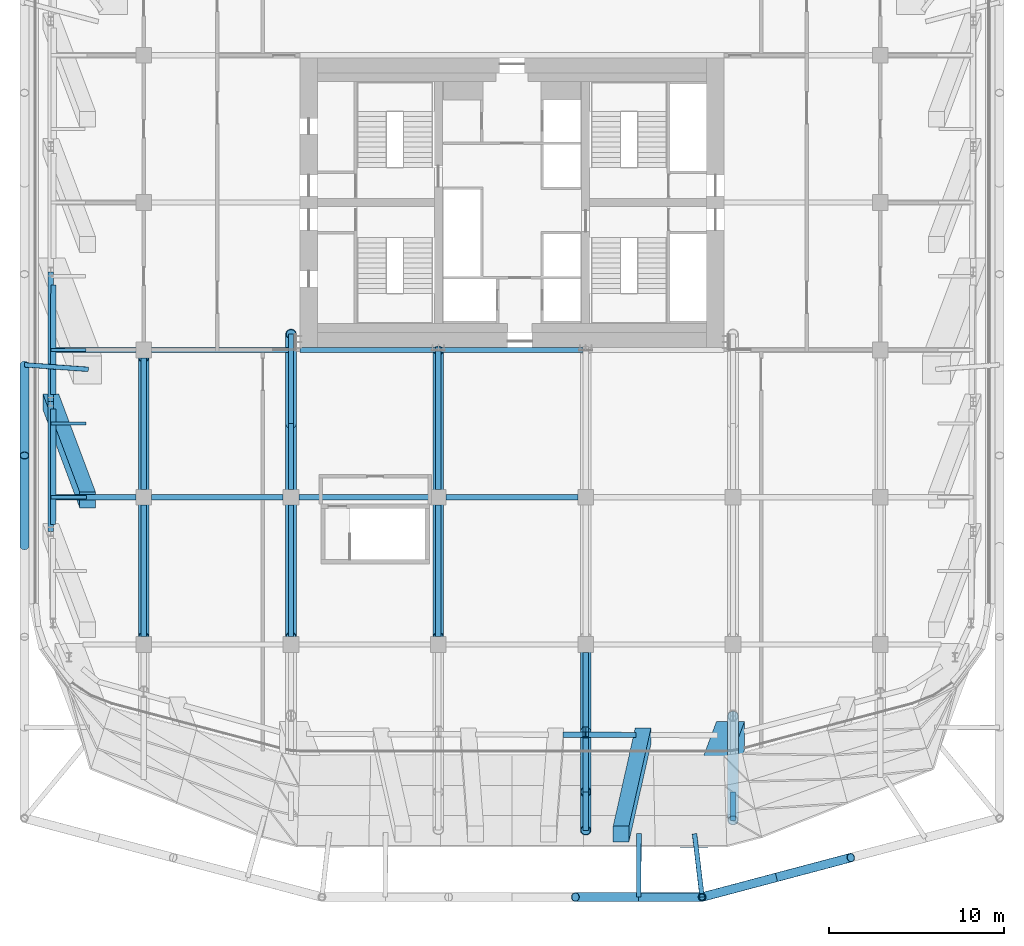
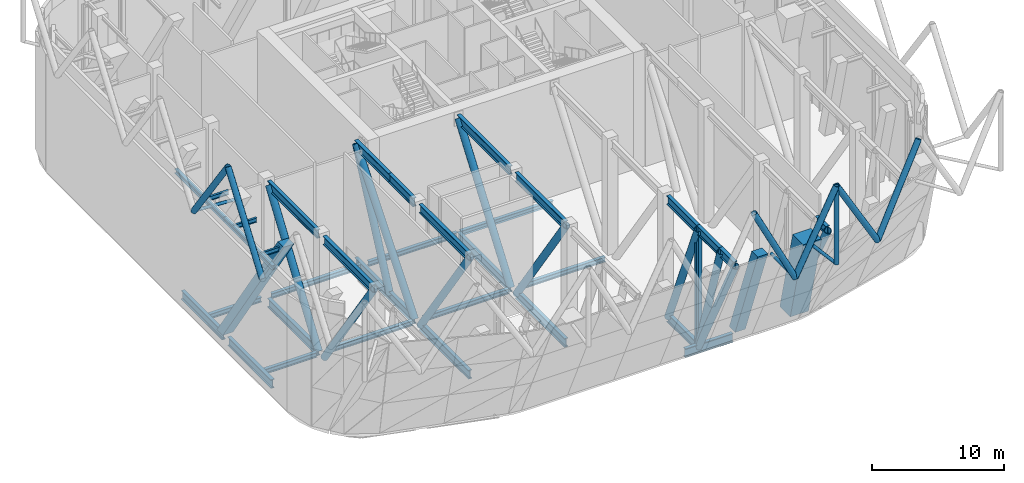
# One storey, part 4 of 20: 45 beams, 14 members.
"""IFC4 building model written with IfcOpenShell, lengths in metres."""

from ifc_helpers import new_model, si_unit, direction, frame, origin, origin_2d, place, context, subcontext, project, spatial, rectangle, hollow_circle, i_section, extrude, material, material_profile, profile_set, type_object, element, save


model = new_model("IFC4")

# Units and contexts
model_context = context("Model", 3, precision=1e-05, world=origin(), true_north=direction((0.0, 1.0)))
body_context = subcontext(model_context, "Body", "Model", "MODEL_VIEW")
ifc_project = project(units=[si_unit("LENGTHUNIT", "METRE"), si_unit("AREAUNIT", "SQUARE_METRE"), si_unit("VOLUMEUNIT", "CUBIC_METRE"), si_unit("PLANEANGLEUNIT", "RADIAN"), si_unit("MASSUNIT", "GRAM", prefix="KILO")], contexts=[model_context])

# Site, building, storey
site_placement = place(None, origin())
site = spatial("IfcSite", under=ifc_project, at=site_placement, CompositionType="ELEMENT")
building_placement = place(site_placement, origin())
building = spatial("IfcBuilding", under=site, at=building_placement, Name="Marenta Gate Hotel Tower", CompositionType="ELEMENT")
storey_placement = place(building_placement, frame((0.0, 0.0, 169.699951171875)))
storey = spatial("IfcBuildingStorey", under=building, at=storey_placement, Name="L40", CompositionType="ELEMENT", Elevation=169.699951171875)

# Members
ifc_material_1 = material(Name="Steel S355J2W", Category="steel")
ifc_material_profile_1 = material_profile(ifc_material_1, hollow_circle(Radius=0.203125, WallThickness=0.02490234375, at=origin_2d()), Name="CHS 406.4x25")
ifc_profile_set_1 = profile_set([ifc_material_profile_1], Name="Steel S355J2W")
member_type_1 = type_object("IfcMemberType", Name="Diagrid corner post Z3 CHS 406.4x25", PredefinedType="POST", material=ifc_profile_set_1)
member_1_placement = place(storey_placement, frame((10.839111328125, -31.199951171875, 10.340087890625), z_axis=(0.0, 0.0, 1.0), x_axis=(1.0, 0.0, 0.0)))
element("IfcMember", 1, at=member_1_placement, inside=storey, type_object=member_type_1, Name="L40-DR-3", PredefinedType="POST", context=body_context, shape_type="SweptSolid", body=[
    extrude(hollow_circle(Radius=0.203125, WallThickness=0.02490234375, at=origin_2d()), origin(), (0.0, 0.0, 1.0), 7.199951171875),
])
ifc_material_2 = material(Name="Steel S355J2W", Category="steel")
ifc_material_profile_2 = material_profile(ifc_material_2, hollow_circle(Radius=0.25390625, WallThickness=0.02490234375, at=origin_2d()), Name="CHS 508x25")
ifc_profile_set_2 = profile_set([ifc_material_profile_2], Name="Steel S355J2W")
member_type_2 = type_object("IfcMemberType", Name="Diagrid diagonal Z3 CHS 508x25", PredefinedType="BRACE", material=ifc_profile_set_2)
for number, where, z_axis, x_axis, name in (
    (2, (15.079345703125, -30.074951171875, 10.340087890625), (0.502925961678, 0.133405107407, 0.853972221087), (-0.256391194513, 0.966573098827, 0.0), "L40-DG-13"),
    (3, (15.079345703125, -30.074951171875, 10.340087890625), (-0.502924018666, -0.133433548941, 0.853968921838), (0.256443187528, -0.96655930577, 0.0), "L40-DG-14"),
):
    element("IfcMember", number, at=place(storey_placement, frame(where, z_axis=z_axis, x_axis=x_axis)), inside=storey, type_object=member_type_2, Name=name, PredefinedType="BRACE", context=body_context, shape_type="SweptSolid", body=[
        extrude(hollow_circle(Radius=0.25390625, WallThickness=0.02490234375, at=origin_2d()), origin(), (0.0, 0.0, 1.0), 8.43115234375),
    ])
for number, where, z_axis, x_axis, name in (
    (4, (7.22607421875, -31.199951171875, 10.340087890625), (0.44851025603, 0.0, 0.893777685018), (0.0, 1.0, 0.0), "L40-DG-15"),
    (5, (7.22607421875, -31.199951171875, 10.340087890625), (-0.44851025603, 0.0, 0.893777685018), (0.0, -1.0, 0.0), "L40-DG-16"),
):
    element("IfcMember", number, at=place(storey_placement, frame(where, z_axis=z_axis, x_axis=x_axis)), inside=storey, type_object=member_type_2, Name=name, PredefinedType="BRACE", context=body_context, shape_type="SweptSolid", body=[
        extrude(hollow_circle(Radius=0.25390625, WallThickness=0.02490234375, at=origin_2d()), origin(), (0.0, 0.0, 1.0), 8.0556640625),
    ])
member_2_placement = place(storey_placement, frame((-27.800048828125, -11.190185546875, 10.340087890625), z_axis=(0.0, 0.583279014058, 0.812271870595), x_axis=(-1.0, 0.0, 0.0)))
element("IfcMember", 6, at=member_2_placement, inside=storey, type_object=member_type_2, Name="L40-DG-28", PredefinedType="BRACE", context=body_context, shape_type="SweptSolid", body=[
    extrude(hollow_circle(Radius=0.25390625, WallThickness=0.02490234375, at=origin_2d()), origin(), (0.0, 0.0, 1.0), 8.864013671875),
])
member_3_placement = place(storey_placement, frame((-27.800048828125, -0.85009765625, 10.340087890625), z_axis=(0.0, -0.583260841117, 0.812284919975), x_axis=(1.0, 0.0, 0.0)))
element("IfcMember", 7, at=member_3_placement, inside=storey, type_object=member_type_2, Name="L40-DG-29", PredefinedType="BRACE", context=body_context, shape_type="SweptSolid", body=[
    extrude(hollow_circle(Radius=0.25390625, WallThickness=0.02490234375, at=origin_2d()), origin(), (0.0, 0.0, 1.0), 8.86376953125),
])

# Beams
ifc_material_3 = material(Name="Steel S355", Category="steel")
ifc_material_profile_3 = material_profile(ifc_material_3, i_section(OverallWidth=0.302978515625, OverallDepth=0.81396484375, WebThickness=0.030029296875, FlangeThickness=0.052001953125, FilletRadius=0.030029296875, at=origin_2d()), Name="HEM 800")
ifc_profile_set_3 = profile_set([ifc_material_profile_3], Name="Steel S355")
beam_type_1 = type_object("IfcBeamType", Name="Edge beam HEM 800", PredefinedType="SPANDREL", material=ifc_profile_set_3)
beam_1_placement = place(storey_placement, frame((-26.167236328125, -9.94189453125, -0.70703125), z_axis=(0.001372605919, 0.999999057976, 0.0), x_axis=(-0.999999057976, 0.001372605919, 0.0)))
element("IfcBeam", 8, at=beam_1_placement, inside=storey, type_object=beam_type_1, Name="L40-EB-6", PredefinedType="SPANDREL", context=body_context, shape_type="SweptSolid", body=[
    extrude(i_section(OverallWidth=0.302978515625, OverallDepth=0.81396484375, WebThickness=0.030029296875, FlangeThickness=0.052001953125, FilletRadius=0.030029296875, at=origin_2d()), origin(), (0.0, 0.0, 1.0), 6.5810546875),
])
beam_2_placement = place(storey_placement, frame((-26.156982421875, -2.541015625, -0.70703125), z_axis=(0.001371364591, 0.999999059679, 0.0), x_axis=(-0.999999059679, 0.001371364591, 0.0)))
element("IfcBeam", 9, at=beam_2_placement, inside=storey, type_object=beam_type_1, Name="L40-EB-7", PredefinedType="SPANDREL", context=body_context, shape_type="SweptSolid", body=[
    extrude(i_section(OverallWidth=0.302978515625, OverallDepth=0.81396484375, WebThickness=0.030029296875, FlangeThickness=0.052001953125, FilletRadius=0.030029296875, at=origin_2d()), origin(), (0.0, 0.0, 1.0), 6.23095703125),
])
beam_3_placement = place(storey_placement, frame((7.070068359375, -21.955322265625, -0.70703125), z_axis=(-0.999994807487, 0.003222576575, 0.0), x_axis=(-0.003222576575, -0.999994807487, 0.0)))
element("IfcBeam", 10, at=beam_3_placement, inside=storey, type_object=beam_type_1, Name="L40-EB-33", PredefinedType="SPANDREL", context=body_context, shape_type="SweptSolid", body=[
    extrude(i_section(OverallWidth=0.302978515625, OverallDepth=0.81396484375, WebThickness=0.030029296875, FlangeThickness=0.052001953125, FilletRadius=0.030029296875, at=origin_2d()), origin(), (0.0, 0.0, 1.0), 4.166748046875),
])

# Members
ifc_material_4 = material(Name="Concrete C70", Category="concrete")
ifc_material_profile_4 = material_profile(ifc_material_4, rectangle(XDim=0.89990234375, YDim=0.89990234375, at=origin_2d()), Name="900 x 900")
ifc_profile_set_4 = profile_set([ifc_material_profile_4], Name="Concrete C70")
member_type_3 = type_object("IfcMemberType", Name="Edge column raked 900 x 900 C70", PredefinedType="STRUT", material=ifc_profile_set_4)
member_4_placement = place(storey_placement, frame((-26.300048828125, -2.950927734375, 0.0), z_axis=(0.0, 0.0, 1.0), x_axis=(1.0, 0.0, 0.0)))
element("IfcMember", 11, at=member_4_placement, inside=storey, type_object=member_type_3, Name="L40-EC-SW-W-2", PredefinedType="STRUT", context=body_context, shape_type="SweptSolid", body=[
    extrude(rectangle(XDim=0.89990234375, YDim=0.89990234375, at=origin_2d()), origin(), (0.170111239528, -0.453597012445, 0.874821076842), 12.345458984375),
])
member_5_placement = place(storey_placement, frame((7.47998046875, -22.0, 0.0), z_axis=(0.0, 0.0, 1.0), x_axis=(1.0, 0.0, 0.0)))
element("IfcMember", 12, at=member_5_placement, inside=storey, type_object=member_type_3, Name="L40-EC-SKE-SKW-1", PredefinedType="STRUT", context=body_context, shape_type="SweptSolid", body=[
    extrude(rectangle(XDim=0.89990234375, YDim=0.89990234375, at=origin_2d()), origin(), (-0.103000585875, -0.457873534649, 0.883030410336), 12.230712890625),
])
ifc_material_5 = material(Name="Steel S355J2W", Category="steel")
ifc_material_profile_5 = material_profile(ifc_material_5, hollow_circle(Radius=0.136474609375, WallThickness=0.012451171875, at=origin_2d()), Name="CHS 273x12.5")
ifc_profile_set_5 = profile_set([ifc_material_profile_5], Name="Steel S355J2W")
member_type_4 = type_object("IfcMemberType", Name="Floor tie CHS 273x12.5", PredefinedType="STRUT", material=ifc_profile_set_5)
member_6_placement = place(storey_placement, frame((10.839111328125, -31.199951171875, 10.340087890625), z_axis=(-0.118457109495, 0.992959169961, 0.0), x_axis=(-0.992959169961, -0.118457109495, 0.0)))
element("IfcMember", 13, at=member_6_placement, inside=storey, type_object=member_type_4, Name="L40-DR-13", PredefinedType="STRUT", context=body_context, shape_type="SweptSolid", body=[
    extrude(hollow_circle(Radius=0.136474609375, WallThickness=0.012451171875, at=origin_2d()), origin(), (0.0, 0.0, 1.0), 3.6376953125),
])
member_7_placement = place(storey_placement, frame((7.22607421875, -31.199951171875, 10.340087890625), z_axis=(0.003839648355, 0.999992628523, 0.0), x_axis=(-0.999992628523, 0.003839648355, 0.0)))
element("IfcMember", 14, at=member_7_placement, inside=storey, type_object=member_type_4, Name="L40-DR-14", PredefinedType="STRUT", context=body_context, shape_type="SweptSolid", body=[
    extrude(hollow_circle(Radius=0.136474609375, WallThickness=0.012451171875, at=origin_2d()), origin(), (0.0, 0.0, 1.0), 3.624267578125),
])
member_8_placement = place(storey_placement, frame((-27.800048828125, -0.85009765625, 10.340087890625), z_axis=(0.997491170769, -0.070790989803, 0.0), x_axis=(0.070790989803, 0.997491170769, 0.0)))
element("IfcMember", 15, at=member_8_placement, inside=storey, type_object=member_type_4, Name="L40-DR-20", PredefinedType="STRUT", context=body_context, shape_type="SweptSolid", body=[
    extrude(hollow_circle(Radius=0.136474609375, WallThickness=0.012451171875, at=origin_2d()), origin(), (0.0, 0.0, 1.0), 3.65234375),
])

# Beams
ifc_material_6 = material(Name="Steel S355", Category="steel")
ifc_material_profile_6 = material_profile(ifc_material_6, i_section(OverallWidth=0.300048828125, OverallDepth=0.449951171875, WebThickness=0.013916015625, FlangeThickness=0.02587890625, FilletRadius=0.027099609375, at=origin_2d()), Name="HEB 450")
ifc_profile_set_6 = profile_set([ifc_material_profile_6], Name="Steel S355")
beam_type_2 = type_object("IfcBeamType", Name="Girder HEB 450", PredefinedType="BEAM", material=ifc_profile_set_6)
beam_4_placement = place(storey_placement, frame((-26.013671875, -8.39990234375, -0.52490234375), z_axis=(1.0, 0.0, 0.0), x_axis=(0.0, 1.0, 0.0)))
element("IfcBeam", 16, at=beam_4_placement, inside=storey, type_object=beam_type_2, Name="L40-GD-8", PredefinedType="BEAM", context=body_context, shape_type="SweptSolid", body=[
    extrude(i_section(OverallWidth=0.300048828125, OverallDepth=0.449951171875, WebThickness=0.013916015625, FlangeThickness=0.02587890625, FilletRadius=0.027099609375, at=origin_2d()), origin(), (0.0, 0.0, 1.0), 4.563720703125),
])
for number, where, z_axis, x_axis, name in (
    (17, (-20.550048828125, -8.39990234375, -0.52490234375), (1.0, 0.0, 0.0), (0.0, 1.0, 0.0), "L40-GD-9"),
    (18, (-12.14990234375, -8.39990234375, -0.52490234375), (1.0, 0.0, 0.0), (0.0, 1.0, 0.0), "L40-GD-10"),
    (19, (-3.75, -8.39990234375, -0.52490234375), (1.0, 0.0, 0.0), (0.0, 1.0, 0.0), "L40-GD-11"),
):
    element("IfcBeam", number, at=place(storey_placement, frame(where, z_axis=z_axis, x_axis=x_axis)), inside=storey, type_object=beam_type_2, Name=name, PredefinedType="BEAM", context=body_context, shape_type="SweptSolid", body=[
        extrude(i_section(OverallWidth=0.300048828125, OverallDepth=0.449951171875, WebThickness=0.013916015625, FlangeThickness=0.02587890625, FilletRadius=0.027099609375, at=origin_2d()), origin(), (0.0, 0.0, 1.0), 7.5),
    ])
beam_5_placement = place(storey_placement, frame((-26.002197265625, 0.0, -0.52490234375), z_axis=(1.0, 0.0, 0.0), x_axis=(0.0, 1.0, 0.0)))
element("IfcBeam", 20, at=beam_5_placement, inside=storey, type_object=beam_type_2, Name="L40-GD-15", PredefinedType="BEAM", context=body_context, shape_type="SweptSolid", body=[
    extrude(i_section(OverallWidth=0.300048828125, OverallDepth=0.449951171875, WebThickness=0.013916015625, FlangeThickness=0.02587890625, FilletRadius=0.027099609375, at=origin_2d()), origin(), (0.0, 0.0, 1.0), 4.55224609375),
])
beam_6_placement = place(storey_placement, frame((-20.550048828125, 0.0, -0.52490234375), z_axis=(1.0, 0.0, 0.0), x_axis=(0.0, 1.0, 0.0)))
element("IfcBeam", 21, at=beam_6_placement, inside=storey, type_object=beam_type_2, Name="L40-GD-16", PredefinedType="BEAM", context=body_context, shape_type="SweptSolid", body=[
    extrude(i_section(OverallWidth=0.300048828125, OverallDepth=0.449951171875, WebThickness=0.013916015625, FlangeThickness=0.02587890625, FilletRadius=0.027099609375, at=origin_2d()), origin(), (0.0, 0.0, 1.0), 7.798583984375),
])
beam_7_placement = place(storey_placement, frame((-12.10009765625, 0.0, -0.52490234375), z_axis=(1.0, 0.0, 0.0), x_axis=(0.0, 1.0, 0.0)))
element("IfcBeam", 22, at=beam_7_placement, inside=storey, type_object=beam_type_2, Name="L40-GD-17", PredefinedType="BEAM", context=body_context, shape_type="SweptSolid", body=[
    extrude(i_section(OverallWidth=0.300048828125, OverallDepth=0.449951171875, WebThickness=0.013916015625, FlangeThickness=0.02587890625, FilletRadius=0.027099609375, at=origin_2d()), origin(), (0.0, 0.0, 1.0), 7.74853515625),
])
beam_8_placement = place(storey_placement, frame((-4.048583984375, 0.0, -0.52490234375), z_axis=(1.0, 0.0, 0.0), x_axis=(0.0, 1.0, 0.0)))
element("IfcBeam", 23, at=beam_8_placement, inside=storey, type_object=beam_type_2, Name="L40-GD-18", PredefinedType="BEAM", context=body_context, shape_type="SweptSolid", body=[
    extrude(i_section(OverallWidth=0.300048828125, OverallDepth=0.449951171875, WebThickness=0.013916015625, FlangeThickness=0.02587890625, FilletRadius=0.027099609375, at=origin_2d()), origin(), (0.0, 0.0, 1.0), 8.09716796875),
])

# Member
ifc_material_7 = material(Name="Concrete C70", Category="concrete")
ifc_material_profile_7 = material_profile(ifc_material_7, rectangle(XDim=1.60009765625, YDim=1.60009765625, at=origin_2d()), Name="1600 x 1600")
ifc_profile_set_7 = profile_set([ifc_material_profile_7], Name="Concrete C70")
member_type_5 = type_object("IfcMemberType", Name="Mega column raked 1600 x 1600 C70", PredefinedType="STRUT", material=ifc_profile_set_7)
member_9_placement = place(storey_placement, frame((12.46630859375, -21.974853515625, 0.0), z_axis=(0.0, 0.0, 1.0), x_axis=(1.0, 0.0, 0.0)))
element("IfcMember", 24, at=member_9_placement, inside=storey, type_object=member_type_5, Name="L40-MC-SKE", PredefinedType="STRUT", context=body_context, shape_type="SweptSolid", body=[
    extrude(rectangle(XDim=1.60009765625, YDim=1.60009765625, at=origin_2d()), origin(), (-0.170111239528, -0.453597012445, 0.874821076842), 12.345458984375),
])

# Beams
ifc_material_8 = material(Name="Steel S355", Category="steel")
ifc_material_profile_8 = material_profile(ifc_material_8, i_section(OverallWidth=0.302978515625, OverallDepth=0.81396484375, WebThickness=0.030029296875, FlangeThickness=0.052001953125, FilletRadius=0.030029296875, at=origin_2d()), Name="HEM 800")
ifc_profile_set_8 = profile_set([ifc_material_profile_8], Name="Steel S355")
beam_type_3 = type_object("IfcBeamType", Name="Outrigger truss chord HEM 800", PredefinedType="BEAM", material=ifc_profile_set_8)
for number, where, z_axis, x_axis, name in (
    (25, (-21.0, -0.449951171875, -0.70703125), (0.0, -1.0, 0.0), (1.0, 0.0, 0.0), "TC-HEM800 Outrigger truss T2-4 chord"),
    (26, (-21.0, -0.449951171875, 10.133056640625), (0.0, -1.0, 0.0), (1.0, 0.0, 0.0), "TC-HEM800 Outrigger truss T2-4 chord"),
    (27, (-21.0, -8.85009765625, 10.133056640625), (0.0, -1.0, 0.0), (1.0, 0.0, 0.0), "TC-HEM800 Outrigger truss T2-4 chord"),
):
    element("IfcBeam", number, at=place(storey_placement, frame(where, z_axis=z_axis, x_axis=x_axis)), inside=storey, type_object=beam_type_3, Name=name, PredefinedType="BEAM", context=body_context, shape_type="SweptSolid", body=[
        extrude(i_section(OverallWidth=0.302978515625, OverallDepth=0.81396484375, WebThickness=0.030029296875, FlangeThickness=0.052001953125, FilletRadius=0.030029296875, at=origin_2d()), origin(), (0.0, 0.0, 1.0), 7.5),
    ])
beam_9_placement = place(storey_placement, frame((-12.60009765625, 0.89990234375, -0.70703125), z_axis=(0.0, -1.0, 0.0), x_axis=(1.0, 0.0, 0.0)))
element("IfcBeam", 28, at=beam_9_placement, inside=storey, type_object=beam_type_3, Name="TC-HEM800 Outrigger truss T2-5 chord", PredefinedType="BEAM", context=body_context, shape_type="SweptSolid", body=[
    extrude(i_section(OverallWidth=0.302978515625, OverallDepth=0.81396484375, WebThickness=0.030029296875, FlangeThickness=0.052001953125, FilletRadius=0.030029296875, at=origin_2d()), origin(), (0.0, 0.0, 1.0), 5.099853515625),
])
beam_10_placement = place(storey_placement, frame((-12.60009765625, -4.199951171875, -0.70703125), z_axis=(0.0, -1.0, 0.0), x_axis=(1.0, 0.0, 0.0)))
element("IfcBeam", 29, at=beam_10_placement, inside=storey, type_object=beam_type_3, Name="TC-HEM800 Outrigger truss T2-5 chord", PredefinedType="BEAM", context=body_context, shape_type="SweptSolid", body=[
    extrude(i_section(OverallWidth=0.302978515625, OverallDepth=0.81396484375, WebThickness=0.030029296875, FlangeThickness=0.052001953125, FilletRadius=0.030029296875, at=origin_2d()), origin(), (0.0, 0.0, 1.0), 3.75),
])
beam_11_placement = place(storey_placement, frame((-12.60009765625, -8.85009765625, -0.70703125), z_axis=(0.0, -1.0, 0.0), x_axis=(1.0, 0.0, 0.0)))
element("IfcBeam", 30, at=beam_11_placement, inside=storey, type_object=beam_type_3, Name="TC-HEM800 Outrigger truss T2-5 chord", PredefinedType="BEAM", context=body_context, shape_type="SweptSolid", body=[
    extrude(i_section(OverallWidth=0.302978515625, OverallDepth=0.81396484375, WebThickness=0.030029296875, FlangeThickness=0.052001953125, FilletRadius=0.030029296875, at=origin_2d()), origin(), (0.0, 0.0, 1.0), 7.5),
])
beam_12_placement = place(storey_placement, frame((-12.60009765625, 0.89990234375, 10.133056640625), z_axis=(0.0, -1.0, 0.0), x_axis=(1.0, 0.0, 0.0)))
element("IfcBeam", 31, at=beam_12_placement, inside=storey, type_object=beam_type_3, Name="TC-HEM800 Outrigger truss T2-5 chord", PredefinedType="BEAM", context=body_context, shape_type="SweptSolid", body=[
    extrude(i_section(OverallWidth=0.302978515625, OverallDepth=0.81396484375, WebThickness=0.030029296875, FlangeThickness=0.052001953125, FilletRadius=0.030029296875, at=origin_2d()), origin(), (0.0, 0.0, 1.0), 5.099853515625),
])
beam_13_placement = place(storey_placement, frame((-12.60009765625, -4.199951171875, 10.133056640625), z_axis=(0.0, -1.0, 0.0), x_axis=(1.0, 0.0, 0.0)))
element("IfcBeam", 32, at=beam_13_placement, inside=storey, type_object=beam_type_3, Name="TC-HEM800 Outrigger truss T2-5 chord", PredefinedType="BEAM", context=body_context, shape_type="SweptSolid", body=[
    extrude(i_section(OverallWidth=0.302978515625, OverallDepth=0.81396484375, WebThickness=0.030029296875, FlangeThickness=0.052001953125, FilletRadius=0.030029296875, at=origin_2d()), origin(), (0.0, 0.0, 1.0), 3.75),
])
beam_14_placement = place(storey_placement, frame((-12.60009765625, -8.85009765625, 10.133056640625), z_axis=(0.0, -1.0, 0.0), x_axis=(1.0, 0.0, 0.0)))
element("IfcBeam", 33, at=beam_14_placement, inside=storey, type_object=beam_type_3, Name="TC-HEM800 Outrigger truss T2-5 chord", PredefinedType="BEAM", context=body_context, shape_type="SweptSolid", body=[
    extrude(i_section(OverallWidth=0.302978515625, OverallDepth=0.81396484375, WebThickness=0.030029296875, FlangeThickness=0.052001953125, FilletRadius=0.030029296875, at=origin_2d()), origin(), (0.0, 0.0, 1.0), 7.5),
])
beam_15_placement = place(storey_placement, frame((-4.199951171875, -0.050048828125, -0.70703125), z_axis=(0.0, -1.0, 0.0), x_axis=(1.0, 0.0, 0.0)))
element("IfcBeam", 34, at=beam_15_placement, inside=storey, type_object=beam_type_3, Name="TC-HEM800 Outrigger truss T2-6 chord", PredefinedType="BEAM", context=body_context, shape_type="SweptSolid", body=[
    extrude(i_section(OverallWidth=0.302978515625, OverallDepth=0.81396484375, WebThickness=0.030029296875, FlangeThickness=0.052001953125, FilletRadius=0.030029296875, at=origin_2d()), origin(), (0.0, 0.0, 1.0), 7.89990234375),
])
beam_16_placement = place(storey_placement, frame((-4.199951171875, -8.85009765625, -0.70703125), z_axis=(0.0, -1.0, 0.0), x_axis=(1.0, 0.0, 0.0)))
element("IfcBeam", 35, at=beam_16_placement, inside=storey, type_object=beam_type_3, Name="TC-HEM800 Outrigger truss T2-6 chord", PredefinedType="BEAM", context=body_context, shape_type="SweptSolid", body=[
    extrude(i_section(OverallWidth=0.302978515625, OverallDepth=0.81396484375, WebThickness=0.030029296875, FlangeThickness=0.052001953125, FilletRadius=0.030029296875, at=origin_2d()), origin(), (0.0, 0.0, 1.0), 7.5),
])
beam_17_placement = place(storey_placement, frame((-4.199951171875, -0.050048828125, 10.133056640625), z_axis=(0.0, -1.0, 0.0), x_axis=(1.0, 0.0, 0.0)))
element("IfcBeam", 36, at=beam_17_placement, inside=storey, type_object=beam_type_3, Name="TC-HEM800 Outrigger truss T2-6 chord", PredefinedType="BEAM", context=body_context, shape_type="SweptSolid", body=[
    extrude(i_section(OverallWidth=0.302978515625, OverallDepth=0.81396484375, WebThickness=0.030029296875, FlangeThickness=0.052001953125, FilletRadius=0.030029296875, at=origin_2d()), origin(), (0.0, 0.0, 1.0), 7.89990234375),
])
beam_18_placement = place(storey_placement, frame((-4.199951171875, -8.85009765625, 10.133056640625), z_axis=(0.0, -1.0, 0.0), x_axis=(1.0, 0.0, 0.0)))
element("IfcBeam", 37, at=beam_18_placement, inside=storey, type_object=beam_type_3, Name="TC-HEM800 Outrigger truss T2-6 chord", PredefinedType="BEAM", context=body_context, shape_type="SweptSolid", body=[
    extrude(i_section(OverallWidth=0.302978515625, OverallDepth=0.81396484375, WebThickness=0.030029296875, FlangeThickness=0.052001953125, FilletRadius=0.030029296875, at=origin_2d()), origin(), (0.0, 0.0, 1.0), 7.5),
])
for number, where, z_axis, x_axis, name in (
    (38, (4.199951171875, -17.25, -0.70703125), (0.0, -1.0, 0.0), (1.0, 0.0, 0.0), "TC-HEM800 Outrigger truss T2-7 chord"),
    (39, (4.199951171875, -17.25, 10.133056640625), (0.0, -1.0, 0.0), (1.0, 0.0, 0.0), "TC-HEM800 Outrigger truss T2-7 chord"),
):
    element("IfcBeam", number, at=place(storey_placement, frame(where, z_axis=z_axis, x_axis=x_axis)), inside=storey, type_object=beam_type_3, Name=name, PredefinedType="BEAM", context=body_context, shape_type="SweptSolid", body=[
        extrude(i_section(OverallWidth=0.302978515625, OverallDepth=0.81396484375, WebThickness=0.030029296875, FlangeThickness=0.052001953125, FilletRadius=0.030029296875, at=origin_2d()), origin(), (0.0, 0.0, 1.0), 4.544677734375),
    ])
beam_19_placement = place(storey_placement, frame((4.199951171875, -21.794677734375, 10.133056640625), z_axis=(0.0, -1.0, 0.0), x_axis=(1.0, 0.0, 0.0)))
element("IfcBeam", 40, at=beam_19_placement, inside=storey, type_object=beam_type_3, Name="TC-HEM800 Outrigger truss T2-7 chord", PredefinedType="BEAM", context=body_context, shape_type="SweptSolid", body=[
    extrude(i_section(OverallWidth=0.302978515625, OverallDepth=0.81396484375, WebThickness=0.030029296875, FlangeThickness=0.052001953125, FilletRadius=0.030029296875, at=origin_2d()), origin(), (0.0, 0.0, 1.0), 3.4052734375),
])
beam_20_placement = place(storey_placement, frame((4.199951171875, -25.199951171875, 10.133056640625), z_axis=(0.0, -1.0, 0.0), x_axis=(1.0, 0.0, 0.0)))
element("IfcBeam", 41, at=beam_20_placement, inside=storey, type_object=beam_type_3, Name="TC-HEM800 Outrigger truss T2-7 chord", PredefinedType="BEAM", context=body_context, shape_type="SweptSolid", body=[
    extrude(i_section(OverallWidth=0.302978515625, OverallDepth=0.81396484375, WebThickness=0.030029296875, FlangeThickness=0.052001953125, FilletRadius=0.030029296875, at=origin_2d()), origin(), (0.0, 0.0, 1.0), 2.197509765625),
])
beam_21_placement = place(storey_placement, frame((12.60009765625, -25.199951171875, 10.133056640625), z_axis=(0.0, -1.0, 0.0), x_axis=(1.0, 0.0, 0.0)))
element("IfcBeam", 42, at=beam_21_placement, inside=storey, type_object=beam_type_3, Name="TC-HEM800 Outrigger truss T2-8 chord", PredefinedType="BEAM", context=body_context, shape_type="SweptSolid", body=[
    extrude(i_section(OverallWidth=0.302978515625, OverallDepth=0.81396484375, WebThickness=0.030029296875, FlangeThickness=0.052001953125, FilletRadius=0.030029296875, at=origin_2d()), origin(), (0.0, 0.0, 1.0), 1.629638671875),
])
ifc_material_9 = material(Name="Steel S355", Category="steel")
ifc_material_profile_9 = material_profile(ifc_material_9, hollow_circle(Radius=0.304931640625, WallThickness=0.0400390625, at=origin_2d()), Name="CHS 610x40")
ifc_profile_set_9 = profile_set([ifc_material_profile_9], Name="Steel S355")
beam_type_4 = type_object("IfcBeamType", Name="Outrigger truss diagonal CHS 610x40", PredefinedType="BEAM", material=ifc_profile_set_9)
for number, where, z_axis, x_axis, name in (
    (43, (-21.0, -0.449951171875, 10.133056640625), (0.0, -0.568970142593, -0.82235818038), (1.0, 0.0, 0.0), "Outrigger truss T2-4 diagonal"),
    (44, (-21.0, -8.85009765625, -0.70703125), (0.0, -0.568970142593, 0.82235818038), (1.0, 0.0, 0.0), "Outrigger truss T2-4 diagonal"),
):
    element("IfcBeam", number, at=place(storey_placement, frame(where, z_axis=z_axis, x_axis=x_axis)), inside=storey, type_object=beam_type_4, Name=name, PredefinedType="BEAM", context=body_context, shape_type="SweptSolid", body=[
        extrude(hollow_circle(Radius=0.304931640625, WallThickness=0.0400390625, at=origin_2d()), origin(), (0.0, 0.0, 1.0), 13.181640625),
    ])
beam_22_placement = place(storey_placement, frame((-12.60009765625, 0.9189453125, 10.15625), z_axis=(0.0, -0.632415505905, -0.774629348715), x_axis=(1.0, 0.0, 0.0)))
element("IfcBeam", 45, at=beam_22_placement, inside=storey, type_object=beam_type_4, Name="Outrigger truss T2-5 diagonal", PredefinedType="BEAM", context=body_context, shape_type="SweptSolid", body=[
    extrude(hollow_circle(Radius=0.304931640625, WallThickness=0.0400390625, at=origin_2d()), origin(), (0.0, 0.0, 1.0), 14.02392578125),
])
beam_23_placement = place(storey_placement, frame((-12.60009765625, -8.85009765625, -0.70703125), z_axis=(0.0, -0.568970142593, 0.82235818038), x_axis=(1.0, 0.0, 0.0)))
element("IfcBeam", 46, at=beam_23_placement, inside=storey, type_object=beam_type_4, Name="Outrigger truss T2-5 diagonal", PredefinedType="BEAM", context=body_context, shape_type="SweptSolid", body=[
    extrude(hollow_circle(Radius=0.304931640625, WallThickness=0.0400390625, at=origin_2d()), origin(), (0.0, 0.0, 1.0), 13.181640625),
])
beam_24_placement = place(storey_placement, frame((-12.60009765625, -4.199951171875, -0.70703125), z_axis=(0.0, 0.425716757742, 0.90485647601), x_axis=(-1.0, 0.0, 0.0)))
element("IfcBeam", 47, at=beam_24_placement, inside=storey, type_object=beam_type_4, Name="Outrigger truss T2-5 diagonal", PredefinedType="BEAM", context=body_context, shape_type="SweptSolid", body=[
    extrude(hollow_circle(Radius=0.304931640625, WallThickness=0.0400390625, at=origin_2d()), origin(), (0.0, 0.0, 1.0), 12.009765625),
])
beam_25_placement = place(storey_placement, frame((-4.199951171875, -0.0322265625, 10.1572265625), z_axis=(0.0, -0.588971563007, -0.808153758866), x_axis=(1.0, 0.0, 0.0)))
element("IfcBeam", 48, at=beam_25_placement, inside=storey, type_object=beam_type_4, Name="Outrigger truss T2-6 diagonal", PredefinedType="BEAM", context=body_context, shape_type="SweptSolid", body=[
    extrude(hollow_circle(Radius=0.304931640625, WallThickness=0.0400390625, at=origin_2d()), origin(), (0.0, 0.0, 1.0), 13.443359375),
])
beam_26_placement = place(storey_placement, frame((-4.199951171875, -8.85009765625, -0.70703125), z_axis=(0.0, -0.568970142593, 0.82235818038), x_axis=(1.0, 0.0, 0.0)))
element("IfcBeam", 49, at=beam_26_placement, inside=storey, type_object=beam_type_4, Name="Outrigger truss T2-6 diagonal", PredefinedType="BEAM", context=body_context, shape_type="SweptSolid", body=[
    extrude(hollow_circle(Radius=0.304931640625, WallThickness=0.0400390625, at=origin_2d()), origin(), (0.0, 0.0, 1.0), 13.181640625),
])
beam_27_placement = place(storey_placement, frame((4.199951171875, -17.25, -0.70703125), z_axis=(0.0, -0.38664234284, 0.922229742918), x_axis=(1.0, 0.0, 0.0)))
element("IfcBeam", 50, at=beam_27_placement, inside=storey, type_object=beam_type_4, Name="Outrigger truss T2-7 diagonal", PredefinedType="BEAM", context=body_context, shape_type="SweptSolid", body=[
    extrude(hollow_circle(Radius=0.304931640625, WallThickness=0.0400390625, at=origin_2d()), origin(), (0.0, 0.0, 1.0), 11.754150390625),
])
beam_28_placement = place(storey_placement, frame((4.199951171875, -21.794677734375, -0.70703125), z_axis=(0.0, -0.299697529679, 0.954034271242), x_axis=(1.0, 0.0, 0.0)))
element("IfcBeam", 51, at=beam_28_placement, inside=storey, type_object=beam_type_4, Name="Outrigger truss T2-7 diagonal", PredefinedType="BEAM", context=body_context, shape_type="SweptSolid", body=[
    extrude(hollow_circle(Radius=0.304931640625, WallThickness=0.0400390625, at=origin_2d()), origin(), (0.0, 0.0, 1.0), 11.3623046875),
])
beam_29_placement = place(storey_placement, frame((4.199951171875, -21.794677734375, -0.70703125), z_axis=(0.0, -0.459154015431, 0.888356679557), x_axis=(1.0, 0.0, 0.0)))
element("IfcBeam", 52, at=beam_29_placement, inside=storey, type_object=beam_type_4, Name="Outrigger truss T2-7 diagonal", PredefinedType="BEAM", context=body_context, shape_type="SweptSolid", body=[
    extrude(hollow_circle(Radius=0.304931640625, WallThickness=0.0400390625, at=origin_2d()), origin(), (0.0, 0.0, 1.0), 12.202392578125),
])
beam_30_placement = place(storey_placement, frame((12.60009765625, -20.8642578125, -0.70703125), z_axis=(0.0, -0.48212249132, 0.876103819968), x_axis=(1.0, 0.0, 0.0)))
element("IfcBeam", 53, at=beam_30_placement, inside=storey, type_object=beam_type_4, Name="Outrigger truss T2-8 diagonal", PredefinedType="BEAM", context=body_context, shape_type="SweptSolid", body=[
    extrude(hollow_circle(Radius=0.304931640625, WallThickness=0.0400390625, at=origin_2d()), origin(), (0.0, 0.0, 1.0), 12.373046875),
])

# Member
ifc_material_10 = material(Name="Steel S355", Category="steel")
ifc_material_profile_10 = material_profile(ifc_material_10, i_section(OverallWidth=0.304931640625, OverallDepth=0.6201171875, WebThickness=0.02490234375, FlangeThickness=0.0439453125, FilletRadius=0.027099609375, at=origin_2d()), Name="HEM 600")
ifc_profile_set_10 = profile_set([ifc_material_profile_10], Name="Steel S355")
member_type_6 = type_object("IfcMemberType", Name="Outrigger truss post HEM 600", PredefinedType="POST", material=ifc_profile_set_10)
member_10_placement = place(storey_placement, frame((4.199951171875, -21.794677734375, -0.70703125), z_axis=(0.0, 0.0, 1.0), x_axis=(1.0, 0.0, 0.0)))
element("IfcMember", 54, at=member_10_placement, inside=storey, type_object=member_type_6, Name="TR-HEM600 Outrigger truss T2-7 post", PredefinedType="POST", context=body_context, shape_type="SweptSolid", body=[
    extrude(i_section(OverallWidth=0.304931640625, OverallDepth=0.6201171875, WebThickness=0.02490234375, FlangeThickness=0.0439453125, FilletRadius=0.027099609375, at=origin_2d()), origin(), (0.0, 0.0, 1.0), 10.840087890625),
])

# Beams
ifc_material_11 = material(Name="Steel S355", Category="steel")
ifc_material_profile_11 = material_profile(ifc_material_11, i_section(OverallWidth=0.179931640625, OverallDepth=0.39990234375, WebThickness=0.008544921875, FlangeThickness=0.013427734375, FilletRadius=0.02099609375, at=origin_2d()), Name="IPE 400")
ifc_profile_set_11 = profile_set([ifc_material_profile_11], Name="Steel S355")
beam_type_5 = type_object("IfcBeamType", Name="Terrace beam IPE 400", PredefinedType="JOIST", material=ifc_profile_set_11)
beam_31_placement = place(storey_placement, frame((-26.300048828125, -8.39990234375, 10.340087890625), z_axis=(1.0, 0.0, 0.0), x_axis=(0.0, 1.0, 0.0)))
element("IfcBeam", 55, at=beam_31_placement, inside=storey, type_object=beam_type_5, Name="L40-TB-24", PredefinedType="JOIST", context=body_context, shape_type="SweptSolid", body=[
    extrude(i_section(OverallWidth=0.179931640625, OverallDepth=0.39990234375, WebThickness=0.008544921875, FlangeThickness=0.013427734375, FilletRadius=0.02099609375, at=origin_2d()), origin(), (0.0, 0.0, 1.0), 2.031494140625),
])
beam_32_placement = place(storey_placement, frame((-26.300048828125, -4.199951171875, 10.340087890625), z_axis=(1.0, 0.0, 0.0), x_axis=(0.0, 1.0, 0.0)))
element("IfcBeam", 56, at=beam_32_placement, inside=storey, type_object=beam_type_5, Name="L40-TB-25", PredefinedType="JOIST", context=body_context, shape_type="SweptSolid", body=[
    extrude(i_section(OverallWidth=0.179931640625, OverallDepth=0.39990234375, WebThickness=0.008544921875, FlangeThickness=0.013427734375, FilletRadius=0.02099609375, at=origin_2d()), origin(), (0.0, 0.0, 1.0), 2.017333984375),
])
beam_33_placement = place(storey_placement, frame((-26.300048828125, 0.0, 10.340087890625), z_axis=(1.0, 0.0, 0.0), x_axis=(0.0, 1.0, 0.0)))
element("IfcBeam", 57, at=beam_33_placement, inside=storey, type_object=beam_type_5, Name="L40-TB-26", PredefinedType="JOIST", context=body_context, shape_type="SweptSolid", body=[
    extrude(i_section(OverallWidth=0.179931640625, OverallDepth=0.39990234375, WebThickness=0.008544921875, FlangeThickness=0.013427734375, FilletRadius=0.02099609375, at=origin_2d()), origin(), (0.0, 0.0, 1.0), 2.00341796875),
])
ifc_material_12 = material(Name="Steel S355", Category="steel")
ifc_material_profile_12 = material_profile(ifc_material_12, i_section(OverallWidth=0.300048828125, OverallDepth=0.39990234375, WebThickness=0.013427734375, FlangeThickness=0.02392578125, FilletRadius=0.027099609375, at=origin_2d()), Name="HEB 400")
ifc_profile_set_12 = profile_set([ifc_material_profile_12], Name="Steel S355")
beam_type_6 = type_object("IfcBeamType", Name="Terrace edge beam HEB 400", PredefinedType="SPANDREL", material=ifc_profile_set_12)
for number, where, z_axis, x_axis, name in (
    (58, (-26.300048828125, -10.351806640625, 10.340087890625), (0.0, 1.0, 0.0), (-1.0, 0.0, 0.0), "L40-TE-3"),
    (59, (-26.300048828125, -2.950927734375, 10.340087890625), (0.0, 1.0, 0.0), (-1.0, 0.0, 0.0), "L40-TE-4"),
):
    element("IfcBeam", number, at=place(storey_placement, frame(where, z_axis=z_axis, x_axis=x_axis)), inside=storey, type_object=beam_type_6, Name=name, PredefinedType="SPANDREL", context=body_context, shape_type="SweptSolid", body=[
        extrude(i_section(OverallWidth=0.300048828125, OverallDepth=0.39990234375, WebThickness=0.013427734375, FlangeThickness=0.02392578125, FilletRadius=0.027099609375, at=origin_2d()), origin(), (0.0, 0.0, 1.0), 7.40087890625),
    ])

save(model, "model.ifc")
